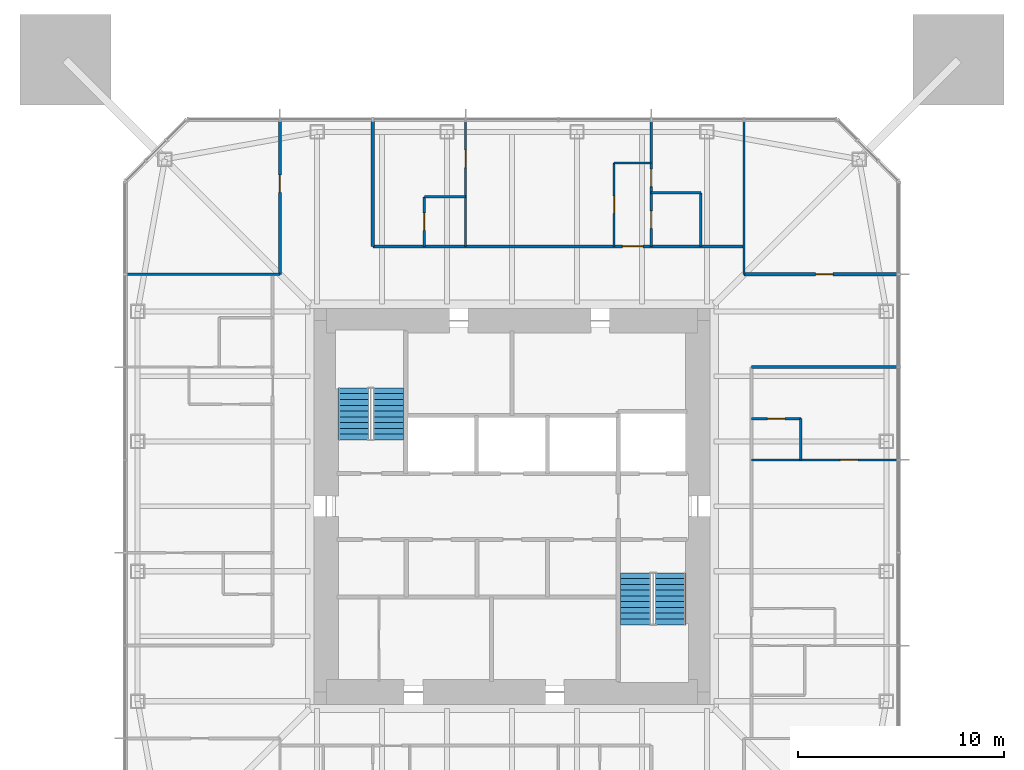
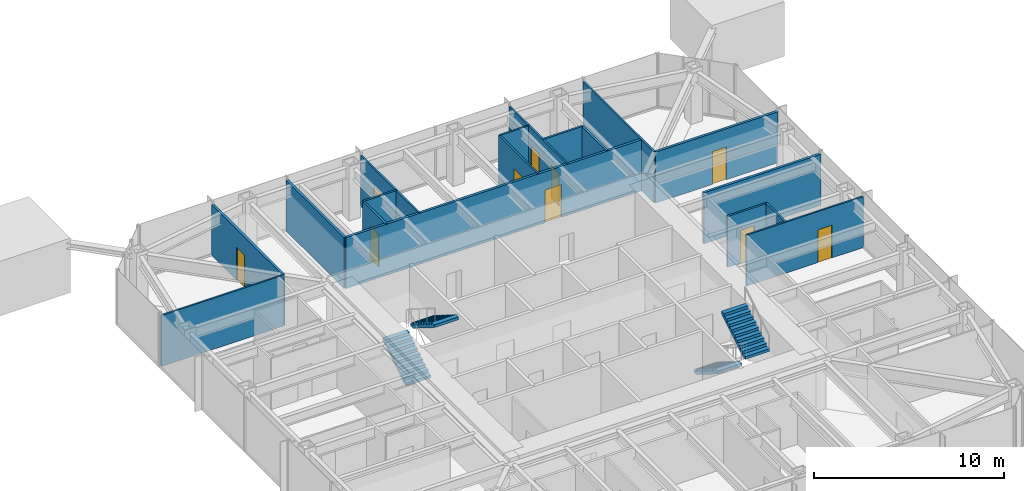
# One storey, part 8 of 11: 18 walls, 10 doors, 4 stair flights, 10 openings, 2 elements without a shape of their own.
"""IFC4 building model written with IfcOpenShell, lengths in metres."""

from ifc_helpers import new_model, si_unit, direction, frame, frame_2d, origin, place, context, subcontext, project, spatial, polyline, rectangle, outline, extrude, material, layer, layer_set, constituent, constituent_set, type_object, element, fill, aggregate, save


model = new_model("IFC4")

# Units and contexts
model_context = context("Model", 3, precision=1e-05, world=origin(), true_north=direction((0.0, 1.0)))
body_context = subcontext(model_context, "Body", "Model", "MODEL_VIEW")
ifc_project = project(units=[si_unit("LENGTHUNIT", "METRE"), si_unit("AREAUNIT", "SQUARE_METRE"), si_unit("VOLUMEUNIT", "CUBIC_METRE"), si_unit("PLANEANGLEUNIT", "RADIAN"), si_unit("MASSUNIT", "GRAM", prefix="KILO")], contexts=[model_context])

# Site, building, storey
site_placement = place(None, origin())
site = spatial("IfcSite", under=ifc_project, at=site_placement, CompositionType="ELEMENT")
building_placement = place(site_placement, origin())
building = spatial("IfcBuilding", under=site, at=building_placement, Name="Iwan Alto Co-Living Towers", CompositionType="ELEMENT")
storey_placement = place(building_placement, frame((0.0, 0.0, 181.0)))
storey = spatial("IfcBuildingStorey", under=building, at=storey_placement, Name="L49", CompositionType="ELEMENT", Elevation=181.0)

# Wall
ifc_material_1 = material(Name="Gypsum board")
ifc_layer_1 = layer(ifc_material_1, 0.02490234375, Name="Board", Category="Finish")
ifc_material_2 = material(Name="Steel ASTM A1003 ST33H cold-formed studs", Category="steel")
ifc_layer_2 = layer(ifc_material_2, 0.10009765625, Name="Studs", Category="Framing")
ifc_layer_3 = layer(ifc_material_1, 0.02490234375, Name="Board", Category="Finish")
ifc_layer_set_1 = layer_set([ifc_layer_1, ifc_layer_2, ifc_layer_3], Name="CORRIDOR WALL 150")
wall_type_1 = type_object("IfcWallType", Name="CORRIDOR WALL 150", PredefinedType="PARTITIONING", material=ifc_layer_set_1)
wall_1_placement = place(storey_placement, frame((11.60009765625, 6.75, 0.0), z_axis=(0.0, 0.0, 1.0), x_axis=(1.0, 0.0, 0.0)))
element("IfcWall", 1, at=wall_1_placement, inside=storey, type_object=wall_type_1, Name="Partition L49", PredefinedType="PARTITIONING", context=body_context, shape_type="SweptSolid", body=[
    extrude(rectangle(XDim=7.08984375, YDim=0.14990234375, at=frame_2d((3.544921875, 0.0))), origin(), (0.0, 0.0, 1.0), 3.27001953125),
])

# Wall, opening, door
wall_2_placement = place(storey_placement, frame((11.25, 11.25, 0.0), z_axis=(0.0, 0.0, 1.0), x_axis=(1.0, 0.0, 0.0)))
wall_2 = element("IfcWall", 2, at=wall_2_placement, inside=storey, type_object=wall_type_1, Name="Partition L49", PredefinedType="PARTITIONING", context=body_context, shape_type="SweptSolid", body=[
    extrude(rectangle(XDim=7.43994140625, YDim=0.14990234375, at=frame_2d((3.719970703125, 0.0))), origin(), (0.0, 0.0, 1.0), 3.27001953125),
])
opening_1_placement = place(wall_2_placement, frame((3.469970703125, 0.0, 0.0)))
opening_1 = element("IfcOpeningElement", 3, at=opening_1_placement, cuts=wall_2, Name="Opening D2", PredefinedType="OPENING", context=body_context, shape_type="SweptSolid", body=[
    extrude(rectangle(XDim=0.85009765625, YDim=2.10009765625, at=frame_2d((0.425048828125, 1.050048828125))), frame((0.0, 0.0849609375, 0.0), z_axis=(0.0, -1.0, 0.0), x_axis=(1.0, 0.0, 0.0)), (0.0, 0.0, 1.0), 0.169921875),
])
ifc_material_3 = material(Name="Timber leaf in steel frame", Category="steel")
door_type_1 = type_object("IfcDoorType", Name="ROOM DOOR 850X2100", OperationType="SINGLE_SWING_LEFT", PredefinedType="DOOR", material=ifc_material_3)
door_1_placement = place(opening_1_placement, origin())
door_1 = element("IfcDoor", 4, at=door_1_placement, inside=storey, type_object=door_type_1, Name="Shared kitchen and lounge door L49", OperationType="SINGLE_SWING_RIGHT", OverallHeight=2.10009765625, OverallWidth=0.85009765625, PredefinedType="DOOR", context=body_context, shape_type="SweptSolid", body=[
    extrude(rectangle(XDim=0.85009765625, YDim=2.10009765625, at=frame_2d((0.425048828125, 1.050048828125))), frame((0.0, 0.02490234375, 0.0), z_axis=(0.0, -1.0, 0.0), x_axis=(1.0, 0.0, 0.0)), (0.0, 0.0, 1.0), 0.050048828125),
])
fill(opening_1, door_1)

wall_3_placement = place(storey_placement, frame((-6.75, 12.60009765625, 0.0), z_axis=(0.0, 0.0, 1.0), x_axis=(1.0, 0.0, 0.0)))
wall_3 = element("IfcWall", 5, at=wall_3_placement, inside=storey, type_object=wall_type_1, Name="Partition L49", PredefinedType="PARTITIONING", context=body_context, shape_type="SweptSolid", body=[
    extrude(rectangle(XDim=18.0, YDim=0.14990234375, at=frame_2d((9.0, 0.0))), origin(), (0.0, 0.0, 1.0), 3.27001953125),
])
opening_2_placement = place(wall_3_placement, frame((12.10009765625, 0.0, 0.0)))
opening_2 = element("IfcOpeningElement", 6, at=opening_2_placement, cuts=wall_3, Name="Opening D3", PredefinedType="OPENING", context=body_context, shape_type="SweptSolid", body=[
    extrude(rectangle(XDim=1.0, YDim=2.10009765625, at=frame_2d((0.5, 1.050048828125))), frame((0.0, 0.0849609375, 0.0), z_axis=(0.0, -1.0, 0.0), x_axis=(1.0, 0.0, 0.0)), (0.0, 0.0, 1.0), 0.169921875),
])
ifc_material_4 = material(Name="Steel frame with timber leaf", Category="steel")
door_type_2 = type_object("IfcDoorType", Name="FLAT ENTRANCE DOOR FD30S 1000X2100", OperationType="SINGLE_SWING_LEFT", PredefinedType="DOOR", material=ifc_material_4)
door_2_placement = place(opening_2_placement, origin())
door_2 = element("IfcDoor", 7, at=door_2_placement, inside=storey, type_object=door_type_2, Name="Apartment foyer door L49", OperationType="SINGLE_SWING_LEFT", OverallHeight=2.10009765625, OverallWidth=1.0, PredefinedType="DOOR", context=body_context, shape_type="SweptSolid", body=[
    extrude(rectangle(XDim=1.0, YDim=2.10009765625, at=frame_2d((0.5, 1.050048828125))), frame((0.0, 0.02490234375, 0.0), z_axis=(0.0, -1.0, 0.0), x_axis=(1.0, 0.0, 0.0)), (0.0, 0.0, 1.0), 0.050048828125),
])
fill(opening_2, door_2)

# Wall
wall_4_placement = place(storey_placement, frame((-6.75, 12.60009765625, 0.0), z_axis=(0.0, 0.0, 1.0), x_axis=(0.0, 1.0, 0.0)))
element("IfcWall", 8, at=wall_4_placement, inside=storey, type_object=wall_type_1, Name="Partition L49", PredefinedType="PARTITIONING", context=body_context, shape_type="SweptSolid", body=[
    extrude(rectangle(XDim=6.08984375, YDim=0.14990234375, at=frame_2d((3.044921875, 0.0))), origin(), (0.0, 0.0, 1.0), 3.27001953125),
])

# Wall, opening, door
wall_5_placement = place(storey_placement, frame((-11.25, 11.25, 0.0), z_axis=(0.0, 0.0, 1.0), x_axis=(0.0, 1.0, 0.0)))
wall_5 = element("IfcWall", 9, at=wall_5_placement, inside=storey, type_object=wall_type_1, Name="Partition L49", PredefinedType="PARTITIONING", context=body_context, shape_type="SweptSolid", body=[
    extrude(rectangle(XDim=7.43994140625, YDim=0.14990234375, at=frame_2d((3.719970703125, 0.0))), origin(), (0.0, 0.0, 1.0), 3.27001953125),
])
opening_3_placement = place(wall_5_placement, frame((3.969970703125, 0.0, 0.0)))
opening_3 = element("IfcOpeningElement", 10, at=opening_3_placement, cuts=wall_5, Name="Opening D2", PredefinedType="OPENING", context=body_context, shape_type="SweptSolid", body=[
    extrude(rectangle(XDim=0.85009765625, YDim=2.10009765625, at=frame_2d((0.425048828125, 1.050048828125))), frame((0.0, 0.0849609375, 0.0), z_axis=(0.0, -1.0, 0.0), x_axis=(1.0, 0.0, 0.0)), (0.0, 0.0, 1.0), 0.169921875),
])
door_3_placement = place(opening_3_placement, origin())
door_3 = element("IfcDoor", 11, at=door_3_placement, inside=storey, type_object=door_type_1, Name="Shared kitchen and lounge door L49", OperationType="SINGLE_SWING_RIGHT", OverallHeight=2.10009765625, OverallWidth=0.85009765625, PredefinedType="DOOR", context=body_context, shape_type="SweptSolid", body=[
    extrude(rectangle(XDim=0.85009765625, YDim=2.10009765625, at=frame_2d((0.425048828125, 1.050048828125))), frame((0.0, 0.02490234375, 0.0), z_axis=(0.0, -1.0, 0.0), x_axis=(1.0, 0.0, 0.0)), (0.0, 0.0, 1.0), 0.050048828125),
])
fill(opening_3, door_3)

ifc_layer_4 = layer(ifc_material_1, 0.012451171875, Name="Board", Category="Finish")
ifc_layer_5 = layer(ifc_material_2, 0.074951171875, Name="Studs", Category="Framing")
ifc_layer_6 = layer(ifc_material_1, 0.012451171875, Name="Board", Category="Finish")
ifc_layer_set_2 = layer_set([ifc_layer_4, ifc_layer_5, ifc_layer_6], Name="PARTITION 100")
wall_type_2 = type_object("IfcWallType", Name="PARTITION 100", PredefinedType="PARTITIONING", material=ifc_layer_set_2)
wall_6_placement = place(storey_placement, frame((11.60009765625, 2.25, 0.0), z_axis=(0.0, 0.0, 1.0), x_axis=(1.0, 0.0, 0.0)))
wall_6 = element("IfcWall", 12, at=wall_6_placement, inside=storey, type_object=wall_type_2, Name="Partition L49", PredefinedType="PARTITIONING", context=body_context, shape_type="SweptSolid", body=[
    extrude(rectangle(XDim=7.08984375, YDim=0.10009765625, at=frame_2d((3.544921875, 0.0))), origin(), (0.0, 0.0, 1.0), 3.27001953125),
])
opening_4_placement = place(wall_6_placement, frame((4.320068359375, 0.0, 0.0)))
opening_4 = element("IfcOpeningElement", 13, at=opening_4_placement, cuts=wall_6, Name="Opening D2", PredefinedType="OPENING", context=body_context, shape_type="SweptSolid", body=[
    extrude(rectangle(XDim=0.85009765625, YDim=2.10009765625, at=frame_2d((0.425048828125, 1.050048828125))), frame((0.0, 0.06005859375, 0.0), z_axis=(0.0, -1.0, 0.0), x_axis=(1.0, 0.0, 0.0)), (0.0, 0.0, 1.0), 0.1201171875),
])
door_4_placement = place(opening_4_placement, frame((0.85009765625, 0.0, 0.0), z_axis=(0.0, 0.0, 1.0), x_axis=(-1.0, 0.0, 0.0)))
door_4 = element("IfcDoor", 14, at=door_4_placement, inside=storey, type_object=door_type_1, Name="Bedroom door L49", OperationType="SINGLE_SWING_LEFT", OverallHeight=2.10009765625, OverallWidth=0.85009765625, PredefinedType="DOOR", context=body_context, shape_type="SweptSolid", body=[
    extrude(rectangle(XDim=0.85009765625, YDim=2.10009765625, at=frame_2d((0.425048828125, 1.050048828125))), frame((0.0, 0.02490234375, 0.0), z_axis=(0.0, -1.0, 0.0), x_axis=(1.0, 0.0, 0.0)), (0.0, 0.0, 1.0), 0.050048828125),
])
fill(opening_4, door_4)

# Walls
wall_7_placement = place(storey_placement, frame((-18.68994140625, 11.25, 0.0), z_axis=(0.0, 0.0, 1.0), x_axis=(1.0, 0.0, 0.0)))
element("IfcWall", 15, at=wall_7_placement, inside=storey, type_object=wall_type_2, Name="Partition L49", PredefinedType="PARTITIONING", context=body_context, shape_type="SweptSolid", body=[
    extrude(rectangle(XDim=7.43994140625, YDim=0.10009765625, at=frame_2d((3.719970703125, 0.0))), origin(), (0.0, 0.0, 1.0), 3.27001953125),
])
wall_8_placement = place(storey_placement, frame((4.949951171875, 16.64990234375, 0.0), z_axis=(0.0, 0.0, 1.0), x_axis=(1.0, 0.0, 0.0)))
element("IfcWall", 16, at=wall_8_placement, inside=storey, type_object=wall_type_2, Name="Partition L49", PredefinedType="PARTITIONING", context=body_context, shape_type="SweptSolid", body=[
    extrude(rectangle(XDim=1.800048828125, YDim=0.10009765625, at=frame_2d((0.89990234375, 0.0))), origin(), (0.0, 0.0, 1.0), 3.27001953125),
])
wall_9_placement = place(storey_placement, frame((11.25, 11.25, 0.0), z_axis=(0.0, 0.0, 1.0), x_axis=(0.0, 1.0, 0.0)))
element("IfcWall", 17, at=wall_9_placement, inside=storey, type_object=wall_type_2, Name="Partition L49", PredefinedType="PARTITIONING", context=body_context, shape_type="SweptSolid", body=[
    extrude(rectangle(XDim=7.43994140625, YDim=0.10009765625, at=frame_2d((3.719970703125, 0.0))), origin(), (0.0, 0.0, 1.0), 3.27001953125),
])

# Wall, openings, doors
wall_10_placement = place(storey_placement, frame((6.75, 12.60009765625, 0.0), z_axis=(0.0, 0.0, 1.0), x_axis=(0.0, 1.0, 0.0)))
wall_10 = element("IfcWall", 18, at=wall_10_placement, inside=storey, type_object=wall_type_2, Name="Partition L49", PredefinedType="PARTITIONING", context=body_context, shape_type="SweptSolid", body=[
    extrude(rectangle(XDim=6.08984375, YDim=0.10009765625, at=frame_2d((3.044921875, 0.0))), origin(), (0.0, 0.0, 1.0), 3.27001953125),
])
opening_5_placement = place(wall_10_placement, frame((2.89990234375, 0.0, 0.0)))
opening_5 = element("IfcOpeningElement", 19, at=opening_5_placement, cuts=wall_10, Name="Opening D2", PredefinedType="OPENING", context=body_context, shape_type="SweptSolid", body=[
    extrude(rectangle(XDim=0.85009765625, YDim=2.10009765625, at=frame_2d((0.425048828125, 1.050048828125))), frame((0.0, 0.06005859375, 0.0), z_axis=(0.0, -1.0, 0.0), x_axis=(1.0, 0.0, 0.0)), (0.0, 0.0, 1.0), 0.1201171875),
])
opening_6_placement = place(wall_10_placement, frame((0.875, 0.0, 0.0)))
opening_6 = element("IfcOpeningElement", 20, at=opening_6_placement, cuts=wall_10, Name="Opening D2", PredefinedType="OPENING", context=body_context, shape_type="SweptSolid", body=[
    extrude(rectangle(XDim=0.85009765625, YDim=2.10009765625, at=frame_2d((0.425048828125, 1.050048828125))), frame((0.0, 0.06005859375, 0.0), z_axis=(0.0, -1.0, 0.0), x_axis=(1.0, 0.0, 0.0)), (0.0, 0.0, 1.0), 0.1201171875),
])
door_5_placement = place(opening_5_placement, frame((0.85009765625, 0.0, 0.0), z_axis=(0.0, 0.0, 1.0), x_axis=(-1.0, 0.0, 0.0)))
door_5 = element("IfcDoor", 21, at=door_5_placement, inside=storey, type_object=door_type_1, Name="Bedroom door L49", OperationType="SINGLE_SWING_RIGHT", OverallHeight=2.10009765625, OverallWidth=0.85009765625, PredefinedType="DOOR", context=body_context, shape_type="SweptSolid", body=[
    extrude(rectangle(XDim=0.85009765625, YDim=2.10009765625, at=frame_2d((0.425048828125, 1.050048828125))), frame((0.0, 0.02490234375, 0.0), z_axis=(0.0, -1.0, 0.0), x_axis=(1.0, 0.0, 0.0)), (0.0, 0.0, 1.0), 0.050048828125),
])
fill(opening_5, door_5)
door_6_placement = place(opening_6_placement, frame((0.85009765625, 0.0, 0.0), z_axis=(0.0, 0.0, 1.0), x_axis=(-1.0, 0.0, 0.0)))
door_6 = element("IfcDoor", 22, at=door_6_placement, inside=storey, type_object=door_type_1, Name="Bathroom door L49", OperationType="SINGLE_SWING_RIGHT", OverallHeight=2.10009765625, OverallWidth=0.85009765625, PredefinedType="DOOR", context=body_context, shape_type="SweptSolid", body=[
    extrude(rectangle(XDim=0.85009765625, YDim=2.10009765625, at=frame_2d((0.425048828125, 1.050048828125))), frame((0.0, 0.02490234375, 0.0), z_axis=(0.0, -1.0, 0.0), x_axis=(1.0, 0.0, 0.0)), (0.0, 0.0, 1.0), 0.050048828125),
])
fill(opening_6, door_6)

# Wall, opening, door
wall_11_placement = place(storey_placement, frame((4.949951171875, 12.60009765625, 0.0), z_axis=(0.0, 0.0, 1.0), x_axis=(0.0, 1.0, 0.0)))
wall_11 = element("IfcWall", 23, at=wall_11_placement, inside=storey, type_object=wall_type_2, Name="Partition L49", PredefinedType="PARTITIONING", context=body_context, shape_type="SweptSolid", body=[
    extrude(rectangle(XDim=4.0498046875, YDim=0.10009765625, at=frame_2d((2.02490234375, 0.0))), origin(), (0.0, 0.0, 1.0), 3.27001953125),
])
opening_7_placement = place(wall_11_placement, frame((1.60009765625, 0.0, 0.0)))
opening_7 = element("IfcOpeningElement", 24, at=opening_7_placement, cuts=wall_11, Name="Opening D2", PredefinedType="OPENING", context=body_context, shape_type="SweptSolid", body=[
    extrude(rectangle(XDim=0.85009765625, YDim=2.10009765625, at=frame_2d((0.425048828125, 1.050048828125))), frame((0.0, 0.06005859375, 0.0), z_axis=(0.0, -1.0, 0.0), x_axis=(1.0, 0.0, 0.0)), (0.0, 0.0, 1.0), 0.1201171875),
])
door_7_placement = place(opening_7_placement, origin())
door_7 = element("IfcDoor", 25, at=door_7_placement, inside=storey, type_object=door_type_1, Name="Apartment foyer door L49", OperationType="SINGLE_SWING_LEFT", OverallHeight=2.10009765625, OverallWidth=0.85009765625, PredefinedType="DOOR", context=body_context, shape_type="SweptSolid", body=[
    extrude(rectangle(XDim=0.85009765625, YDim=2.10009765625, at=frame_2d((0.425048828125, 1.050048828125))), frame((0.0, 0.02490234375, 0.0), z_axis=(0.0, -1.0, 0.0), x_axis=(1.0, 0.0, 0.0)), (0.0, 0.0, 1.0), 0.050048828125),
])
fill(opening_7, door_7)

wall_12_placement = place(storey_placement, frame((-2.25, 12.60009765625, 0.0), z_axis=(0.0, 0.0, 1.0), x_axis=(0.0, 1.0, 0.0)))
wall_12 = element("IfcWall", 26, at=wall_12_placement, inside=storey, type_object=wall_type_2, Name="Partition L49", PredefinedType="PARTITIONING", context=body_context, shape_type="SweptSolid", body=[
    extrude(rectangle(XDim=6.08984375, YDim=0.10009765625, at=frame_2d((3.044921875, 0.0))), origin(), (0.0, 0.0, 1.0), 3.27001953125),
])
opening_8_placement = place(wall_12_placement, frame((3.820068359375, 0.0, 0.0)))
opening_8 = element("IfcOpeningElement", 27, at=opening_8_placement, cuts=wall_12, Name="Opening D2", PredefinedType="OPENING", context=body_context, shape_type="SweptSolid", body=[
    extrude(rectangle(XDim=0.85009765625, YDim=2.10009765625, at=frame_2d((0.425048828125, 1.050048828125))), frame((0.0, 0.06005859375, 0.0), z_axis=(0.0, -1.0, 0.0), x_axis=(1.0, 0.0, 0.0)), (0.0, 0.0, 1.0), 0.1201171875),
])
door_8_placement = place(opening_8_placement, frame((0.85009765625, 0.0, 0.0), z_axis=(0.0, 0.0, 1.0), x_axis=(-1.0, 0.0, 0.0)))
door_8 = element("IfcDoor", 28, at=door_8_placement, inside=storey, type_object=door_type_1, Name="Bedroom door L49", OperationType="SINGLE_SWING_LEFT", OverallHeight=2.10009765625, OverallWidth=0.85009765625, PredefinedType="DOOR", context=body_context, shape_type="SweptSolid", body=[
    extrude(rectangle(XDim=0.85009765625, YDim=2.10009765625, at=frame_2d((0.425048828125, 1.050048828125))), frame((0.0, 0.02490234375, 0.0), z_axis=(0.0, -1.0, 0.0), x_axis=(1.0, 0.0, 0.0)), (0.0, 0.0, 1.0), 0.050048828125),
])
fill(opening_8, door_8)

ifc_material_5 = material(Name="Cement board")
ifc_layer_7 = layer(ifc_material_5, 0.012451171875, Name="Board", Category="Finish")
ifc_layer_8 = layer(ifc_material_2, 0.094970703125, Name="Studs", Category="Framing")
ifc_layer_9 = layer(ifc_material_5, 0.012451171875, Name="Board", Category="Finish")
ifc_layer_set_3 = layer_set([ifc_layer_7, ifc_layer_8, ifc_layer_9], Name="WET AREA PARTITION 120")
wall_type_3 = type_object("IfcWallType", Name="WET AREA PARTITION 120", PredefinedType="PARTITIONING", material=ifc_layer_set_3)
wall_13_placement = place(storey_placement, frame((11.60009765625, 4.25, 0.0), z_axis=(0.0, 0.0, 1.0), x_axis=(1.0, 0.0, 0.0)))
wall_13 = element("IfcWall", 29, at=wall_13_placement, inside=storey, type_object=wall_type_3, Name="Partition L49", PredefinedType="PARTITIONING", context=body_context, shape_type="SweptSolid", body=[
    extrude(rectangle(XDim=2.39990234375, YDim=0.1201171875, at=frame_2d((1.199951171875, 0.0))), origin(), (0.0, 0.0, 1.0), 3.27001953125),
])
opening_9_placement = place(wall_13_placement, frame((0.77490234375, 0.0, 0.0)))
opening_9 = element("IfcOpeningElement", 30, at=opening_9_placement, cuts=wall_13, Name="Opening D2", PredefinedType="OPENING", context=body_context, shape_type="SweptSolid", body=[
    extrude(rectangle(XDim=0.85009765625, YDim=2.10009765625, at=frame_2d((0.425048828125, 1.050048828125))), frame((0.0, 0.070068359375, 0.0), z_axis=(0.0, -1.0, 0.0), x_axis=(1.0, 0.0, 0.0)), (0.0, 0.0, 1.0), 0.14013671875),
])
door_9_placement = place(opening_9_placement, origin())
door_9 = element("IfcDoor", 31, at=door_9_placement, inside=storey, type_object=door_type_1, Name="En-suite shower room door L49", OperationType="SINGLE_SWING_LEFT", OverallHeight=2.10009765625, OverallWidth=0.85009765625, PredefinedType="DOOR", context=body_context, shape_type="SweptSolid", body=[
    extrude(rectangle(XDim=0.85009765625, YDim=2.10009765625, at=frame_2d((0.425048828125, 1.050048828125))), frame((0.0, 0.02490234375, 0.0), z_axis=(0.0, -1.0, 0.0), x_axis=(1.0, 0.0, 0.0)), (0.0, 0.0, 1.0), 0.050048828125),
])
fill(opening_9, door_9)

# Walls
wall_14_placement = place(storey_placement, frame((-4.25, 15.0, 0.0), z_axis=(0.0, 0.0, 1.0), x_axis=(1.0, 0.0, 0.0)))
element("IfcWall", 32, at=wall_14_placement, inside=storey, type_object=wall_type_3, Name="Partition L49", PredefinedType="PARTITIONING", context=body_context, shape_type="SweptSolid", body=[
    extrude(rectangle(XDim=2.0, YDim=0.1201171875, at=frame_2d((1.0, 0.0))), origin(), (0.0, 0.0, 1.0), 3.27001953125),
])
wall_15_placement = place(storey_placement, frame((6.75, 15.199951171875, 0.0), z_axis=(0.0, 0.0, 1.0), x_axis=(1.0, 0.0, 0.0)))
element("IfcWall", 33, at=wall_15_placement, inside=storey, type_object=wall_type_3, Name="Partition L49", PredefinedType="PARTITIONING", context=body_context, shape_type="SweptSolid", body=[
    extrude(rectangle(XDim=2.39990234375, YDim=0.1201171875, at=frame_2d((1.199951171875, 0.0))), origin(), (0.0, 0.0, 1.0), 3.27001953125),
])
wall_16_placement = place(storey_placement, frame((14.0, 2.25, 0.0), z_axis=(0.0, 0.0, 1.0), x_axis=(0.0, 1.0, 0.0)))
element("IfcWall", 34, at=wall_16_placement, inside=storey, type_object=wall_type_3, Name="Partition L49", PredefinedType="PARTITIONING", context=body_context, shape_type="SweptSolid", body=[
    extrude(rectangle(XDim=2.0, YDim=0.1201171875, at=frame_2d((1.0, 0.0))), origin(), (0.0, 0.0, 1.0), 3.27001953125),
])
wall_17_placement = place(storey_placement, frame((9.14990234375, 12.60009765625, 0.0), z_axis=(0.0, 0.0, 1.0), x_axis=(0.0, 1.0, 0.0)))
element("IfcWall", 35, at=wall_17_placement, inside=storey, type_object=wall_type_3, Name="Partition L49", PredefinedType="PARTITIONING", context=body_context, shape_type="SweptSolid", body=[
    extrude(rectangle(XDim=2.599853515625, YDim=0.1201171875, at=frame_2d((1.2998046875, 0.0))), origin(), (0.0, 0.0, 1.0), 3.27001953125),
])

# Wall, opening, door
wall_18_placement = place(storey_placement, frame((-4.25, 12.60009765625, 0.0), z_axis=(0.0, 0.0, 1.0), x_axis=(0.0, 1.0, 0.0)))
wall_18 = element("IfcWall", 36, at=wall_18_placement, inside=storey, type_object=wall_type_3, Name="Partition L49", PredefinedType="PARTITIONING", context=body_context, shape_type="SweptSolid", body=[
    extrude(rectangle(XDim=2.39990234375, YDim=0.1201171875, at=frame_2d((1.199951171875, 0.0))), origin(), (0.0, 0.0, 1.0), 3.27001953125),
])
opening_10_placement = place(wall_18_placement, frame((0.77490234375, 0.0, 0.0)))
opening_10 = element("IfcOpeningElement", 37, at=opening_10_placement, cuts=wall_18, Name="Opening D2", PredefinedType="OPENING", context=body_context, shape_type="SweptSolid", body=[
    extrude(rectangle(XDim=0.85009765625, YDim=2.10009765625, at=frame_2d((0.425048828125, 1.050048828125))), frame((0.0, 0.070068359375, 0.0), z_axis=(0.0, -1.0, 0.0), x_axis=(1.0, 0.0, 0.0)), (0.0, 0.0, 1.0), 0.14013671875),
])
door_10_placement = place(opening_10_placement, origin())
door_10 = element("IfcDoor", 38, at=door_10_placement, inside=storey, type_object=door_type_1, Name="En-suite shower room door L49", OperationType="SINGLE_SWING_LEFT", OverallHeight=2.10009765625, OverallWidth=0.85009765625, PredefinedType="DOOR", context=body_context, shape_type="SweptSolid", body=[
    extrude(rectangle(XDim=0.85009765625, YDim=2.10009765625, at=frame_2d((0.425048828125, 1.050048828125))), frame((0.0, 0.02490234375, 0.0), z_axis=(0.0, -1.0, 0.0), x_axis=(1.0, 0.0, 0.0)), (0.0, 0.0, 1.0), 0.050048828125),
])
fill(opening_10, door_10)

# Stair, stair flights
ifc_material_6 = material(Name="Steel ASTM A36", Category="steel")
ifc_constituent_1 = constituent(ifc_material_6, Name="Stringers", Category="LoadBearing")
ifc_material_7 = material(Name="Concrete f'c 30 MPa", Category="concrete")
ifc_constituent_2 = constituent(ifc_material_7, Name="Tread fill", Category="Finish")
ifc_constituent_set_1 = constituent_set(constituents=[ifc_constituent_1, ifc_constituent_2], Name="STAIR 3500 TWO-FLIGHT T1 CORE")
stair_type = type_object("IfcStairType", Name="STAIR 3500 TWO-FLIGHT T1 CORE", PredefinedType="HALF_TURN_STAIR", material=ifc_constituent_set_1)
stair_1_placement = place(storey_placement, origin())
stair_1 = element("IfcStair", 39, at=stair_1_placement, inside=storey, type_object=stair_type, Name="Stair T1-S1 L49 to L50", PredefinedType="HALF_TURN_STAIR")
ifc_constituent_3 = constituent(ifc_material_6, Name="Stringers", Category="LoadBearing")
ifc_constituent_4 = constituent(ifc_material_7, Name="Tread fill", Category="Finish")
ifc_constituent_set_2 = constituent_set(constituents=[ifc_constituent_3, ifc_constituent_4], Name="STAIR FLIGHT 10 RISERS 280 GOING")
stair_flight_type = type_object("IfcStairFlightType", Name="STAIR FLIGHT 10 RISERS 280 GOING", PredefinedType="STRAIGHT", material=ifc_constituent_set_2)
stair_flight_1_placement = place(storey_placement, frame((-7.68994140625, 3.219970703125, 0.0), z_axis=(0.0, 0.0, 1.0), x_axis=(0.0, 1.0, 0.0)))
stair_flight_1 = element("IfcStairFlight", 40, at=stair_flight_1_placement, type_object=stair_flight_type, Name="T1-S1 flight 1", NumberOfRisers=10, NumberOfTreads=9, PredefinedType="STRAIGHT", RiserHeight=0.175, TreadLength=0.28, context=body_context, shape_type="SweptSolid", body=[
    extrude(outline(polyline([(0.0, 0.0), (0.0, 0.175048828125), (0.280029296875, 0.175048828125), (0.280029296875, 0.35009765625), (0.56005859375, 0.35009765625), (0.56005859375, 0.52490234375), (0.840087890625, 0.52490234375), (0.840087890625, 0.699951171875), (1.1201171875, 0.699951171875), (1.1201171875, 0.875), (1.39990234375, 0.875), (1.39990234375, 1.050048828125), (1.679931640625, 1.050048828125), (1.679931640625, 1.22509765625), (1.9599609375, 1.22509765625), (1.9599609375, 1.39990234375), (2.239990234375, 1.39990234375), (2.239990234375, 1.574951171875), (2.52001953125, 1.574951171875), (2.52001953125, 1.75), (2.52001953125, 1.398193359375), (0.28271484375, 0.0), (0.0, 0.0)])), frame((0.0, 0.739990234375, 0.0), z_axis=(0.0, -1.0, 0.0), x_axis=(1.0, 0.0, 0.0)), (0.0, 0.0, 1.0), 1.47998046875),
])
stair_flight_2_placement = place(storey_placement, frame((-6.010009765625, 5.739990234375, 1.75), z_axis=(0.0, 0.0, 1.0), x_axis=(0.0, -1.0, 0.0)))
stair_flight_2 = element("IfcStairFlight", 41, at=stair_flight_2_placement, type_object=stair_flight_type, Name="T1-S1 flight 2", NumberOfRisers=10, NumberOfTreads=9, PredefinedType="STRAIGHT", RiserHeight=0.175, TreadLength=0.28, context=body_context, shape_type="SweptSolid", body=[
    extrude(outline(polyline([(0.0, 0.0), (0.0, 0.175048828125), (0.280029296875, 0.175048828125), (0.280029296875, 0.35009765625), (0.56005859375, 0.35009765625), (0.56005859375, 0.52490234375), (0.840087890625, 0.52490234375), (0.840087890625, 0.699951171875), (1.1201171875, 0.699951171875), (1.1201171875, 0.875), (1.39990234375, 0.875), (1.39990234375, 1.050048828125), (1.679931640625, 1.050048828125), (1.679931640625, 1.22509765625), (1.9599609375, 1.22509765625), (1.9599609375, 1.39990234375), (2.239990234375, 1.39990234375), (2.239990234375, 1.574951171875), (2.52001953125, 1.574951171875), (2.52001953125, 1.75), (2.52001953125, 1.398193359375), (0.28271484375, 0.0), (0.0, 0.0)])), frame((0.0, 0.739990234375, 0.0), z_axis=(0.0, -1.0, 0.0), x_axis=(1.0, 0.0, 0.0)), (0.0, 0.0, 1.0), 1.47998046875),
])
aggregate(stair_1, [stair_flight_1, stair_flight_2])

stair_2_placement = place(storey_placement, origin())
stair_2 = element("IfcStair", 42, at=stair_2_placement, inside=storey, type_object=stair_type, Name="Stair T1-S2 L49 to L50", PredefinedType="HALF_TURN_STAIR")
stair_flight_3_placement = place(storey_placement, frame((6.010009765625, -3.219970703125, 0.0), z_axis=(0.0, 0.0, 1.0), x_axis=(0.0, -1.0, 0.0)))
stair_flight_3 = element("IfcStairFlight", 43, at=stair_flight_3_placement, type_object=stair_flight_type, Name="T1-S2 flight 1", NumberOfRisers=10, NumberOfTreads=9, PredefinedType="STRAIGHT", RiserHeight=0.175, TreadLength=0.28, context=body_context, shape_type="SweptSolid", body=[
    extrude(outline(polyline([(0.0, 0.0), (0.0, 0.175048828125), (0.280029296875, 0.175048828125), (0.280029296875, 0.35009765625), (0.56005859375, 0.35009765625), (0.56005859375, 0.52490234375), (0.840087890625, 0.52490234375), (0.840087890625, 0.699951171875), (1.1201171875, 0.699951171875), (1.1201171875, 0.875), (1.39990234375, 0.875), (1.39990234375, 1.050048828125), (1.679931640625, 1.050048828125), (1.679931640625, 1.22509765625), (1.9599609375, 1.22509765625), (1.9599609375, 1.39990234375), (2.239990234375, 1.39990234375), (2.239990234375, 1.574951171875), (2.52001953125, 1.574951171875), (2.52001953125, 1.75), (2.52001953125, 1.398193359375), (0.28271484375, 0.0), (0.0, 0.0)])), frame((0.0, 0.739990234375, 0.0), z_axis=(0.0, -1.0, 0.0), x_axis=(1.0, 0.0, 0.0)), (0.0, 0.0, 1.0), 1.47998046875),
])
stair_flight_4_placement = place(storey_placement, frame((7.68994140625, -5.739990234375, 1.75), z_axis=(0.0, 0.0, 1.0), x_axis=(0.0, 1.0, 0.0)))
stair_flight_4 = element("IfcStairFlight", 44, at=stair_flight_4_placement, type_object=stair_flight_type, Name="T1-S2 flight 2", NumberOfRisers=10, NumberOfTreads=9, PredefinedType="STRAIGHT", RiserHeight=0.175, TreadLength=0.28, context=body_context, shape_type="SweptSolid", body=[
    extrude(outline(polyline([(0.0, 0.0), (0.0, 0.175048828125), (0.280029296875, 0.175048828125), (0.280029296875, 0.35009765625), (0.56005859375, 0.35009765625), (0.56005859375, 0.52490234375), (0.840087890625, 0.52490234375), (0.840087890625, 0.699951171875), (1.1201171875, 0.699951171875), (1.1201171875, 0.875), (1.39990234375, 0.875), (1.39990234375, 1.050048828125), (1.679931640625, 1.050048828125), (1.679931640625, 1.22509765625), (1.9599609375, 1.22509765625), (1.9599609375, 1.39990234375), (2.239990234375, 1.39990234375), (2.239990234375, 1.574951171875), (2.52001953125, 1.574951171875), (2.52001953125, 1.75), (2.52001953125, 1.398193359375), (0.28271484375, 0.0), (0.0, 0.0)])), frame((0.0, 0.739990234375, 0.0), z_axis=(0.0, -1.0, 0.0), x_axis=(1.0, 0.0, 0.0)), (0.0, 0.0, 1.0), 1.47998046875),
])
aggregate(stair_2, [stair_flight_3, stair_flight_4])

save(model, "model.ifc")
